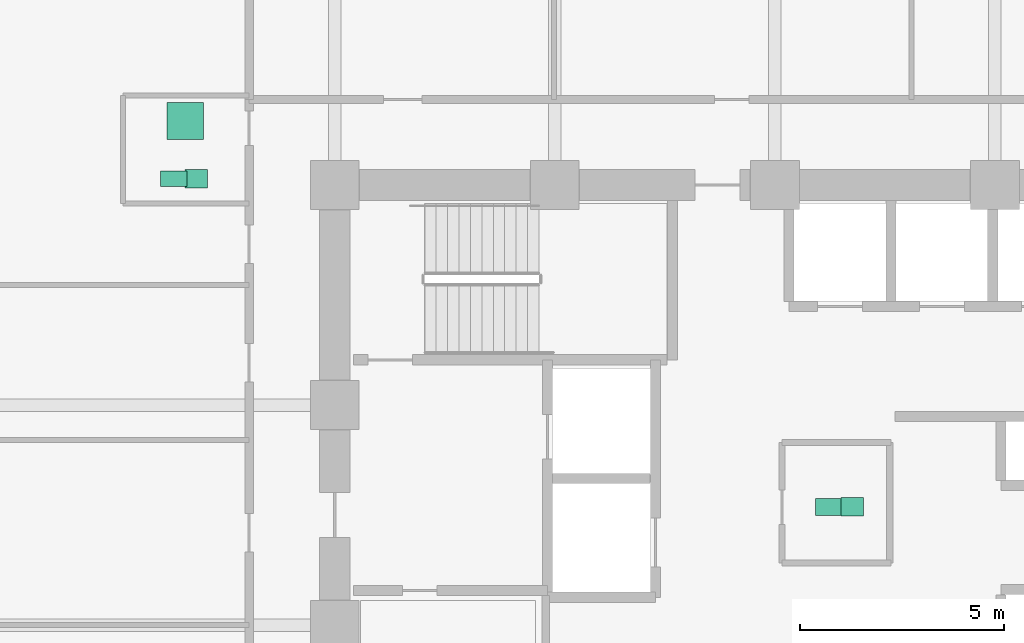
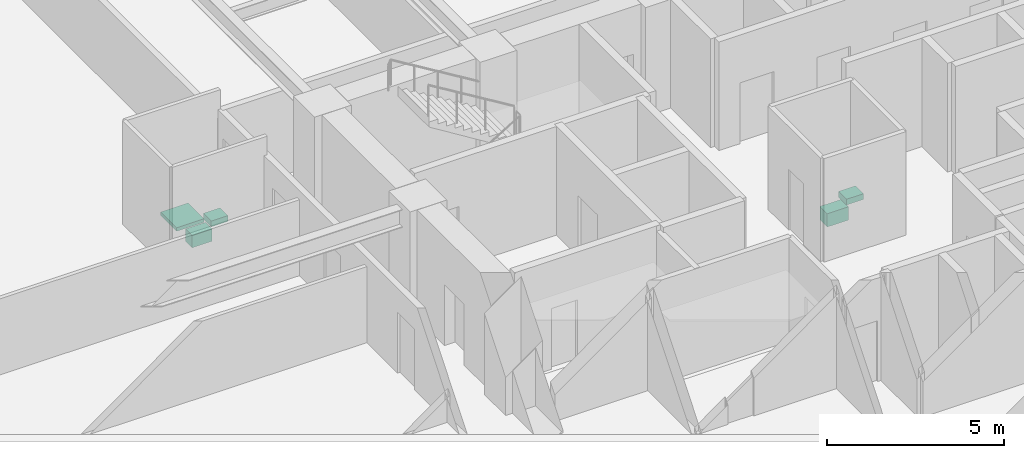
# One storey, part 28 of 28: 5 sanitary terminals.
"""IFC4 building model written with IfcOpenShell, lengths in metres."""

from ifc_helpers import new_model, si_unit, direction, frame, origin, origin_2d, place, context, subcontext, project, spatial, rectangle, extrude, material, type_object, element, save


model = new_model("IFC4")

# Units and contexts
model_context = context("Model", 3, precision=1e-05, world=origin(), true_north=direction((0.0, 1.0)))
body_context = subcontext(model_context, "Body", "Model", "MODEL_VIEW")
ifc_project = project(units=[si_unit("LENGTHUNIT", "METRE"), si_unit("AREAUNIT", "SQUARE_METRE"), si_unit("VOLUMEUNIT", "CUBIC_METRE"), si_unit("PLANEANGLEUNIT", "RADIAN"), si_unit("MASSUNIT", "GRAM", prefix="KILO")], contexts=[model_context])

# Site, building, storey
site_placement = place(None, origin())
site = spatial("IfcSite", under=ifc_project, at=site_placement, CompositionType="ELEMENT")
building_placement = place(site_placement, origin())
building = spatial("IfcBuilding", under=site, at=building_placement, Name="Surkhivell Harbour Commons", CompositionType="ELEMENT")
storey_placement = place(building_placement, frame((0.0, 0.0, 63.75)))
storey = spatial("IfcBuildingStorey", under=building, at=storey_placement, Name="L16", CompositionType="ELEMENT", Elevation=63.75)

# Sanitary terminals
ifc_material_1 = material(Name="Vitreous china washbasin", Category="other")
sanitary_terminal_type_1 = type_object("IfcSanitaryTerminalType", Name="SAN-BSN", PredefinedType="WASHHANDBASIN", material=ifc_material_1)
for number, where, z_axis, x_axis, name in (
    (1, (1.89990234375, 2.89990234375, 0.72021484375), (0.0, 0.0, 1.0), (1.0, 0.0, 0.0), "L16 Core Accessible WC Washbasin"),
    (2, (-14.199951171875, 10.949951171875, 0.72021484375), (0.0, 0.0, 1.0), (1.0, 0.0, 0.0), "L16 West Communal Bathroom WC Washbasin"),
):
    element("IfcSanitaryTerminal", number, at=place(storey_placement, frame(where, z_axis=z_axis, x_axis=x_axis)), inside=storey, type_object=sanitary_terminal_type_1, Name=name, PredefinedType="WASHHANDBASIN", context=body_context, shape_type="SweptSolid", body=[
        extrude(rectangle(XDim=0.550048828125, YDim=0.449951171875, at=origin_2d()), origin(), (0.0, 0.0, 1.0), 0.199951171875),
    ])
ifc_material_2 = material(Name="Glazed porcelain shower tray", Category="other")
sanitary_terminal_type_2 = type_object("IfcSanitaryTerminalType", Name="SAN-SHW", PredefinedType="SHOWER", material=ifc_material_2)
sanitary_terminal_1_placement = place(storey_placement, frame((-14.469970703125, 12.3701171875, 0.0), z_axis=(0.0, 0.0, 1.0), x_axis=(1.0, 0.0, 0.0)))
element("IfcSanitaryTerminal", 3, at=sanitary_terminal_1_placement, inside=storey, type_object=sanitary_terminal_type_2, Name="L16 West Communal Shower Tray", PredefinedType="SHOWER", context=body_context, shape_type="SweptSolid", body=[
    extrude(rectangle(XDim=0.89990234375, YDim=0.89990234375, at=origin_2d()), origin(), (0.0, 0.0, 1.0), 0.1201171875),
])
ifc_material_3 = material(Name="Vitreous china sanitaryware", Category="other")
sanitary_terminal_type_3 = type_object("IfcSanitaryTerminalType", Name="SAN-WC-ACC", PredefinedType="TOILETPAN", material=ifc_material_3)
sanitary_terminal_2_placement = place(storey_placement, frame((1.35009765625, 2.89990234375, 0.169921875), z_axis=(0.0, 0.0, 1.0), x_axis=(1.0, 0.0, 0.0)))
element("IfcSanitaryTerminal", 4, at=sanitary_terminal_2_placement, inside=storey, type_object=sanitary_terminal_type_3, Name="L16 Core Accessible WC", PredefinedType="TOILETPAN", context=body_context, shape_type="SweptSolid", body=[
    extrude(rectangle(XDim=0.699951171875, YDim=0.419921875, at=origin_2d()), origin(), (0.0, 0.0, 1.0), 0.4599609375),
])
sanitary_terminal_type_4 = type_object("IfcSanitaryTerminalType", Name="SAN-WC-STD", PredefinedType="TOILETPAN", material=ifc_material_3)
sanitary_terminal_3_placement = place(storey_placement, frame((-14.75, 10.949951171875, 0.18994140625), z_axis=(0.0, 0.0, 1.0), x_axis=(1.0, 0.0, 0.0)))
element("IfcSanitaryTerminal", 5, at=sanitary_terminal_3_placement, inside=storey, type_object=sanitary_terminal_type_4, Name="L16 West Communal Bathroom WC", PredefinedType="TOILETPAN", context=body_context, shape_type="SweptSolid", body=[
    extrude(rectangle(XDim=0.64990234375, YDim=0.3798828125, at=origin_2d()), origin(), (0.0, 0.0, 1.0), 0.419921875),
])

save(model, "model.ifc")
